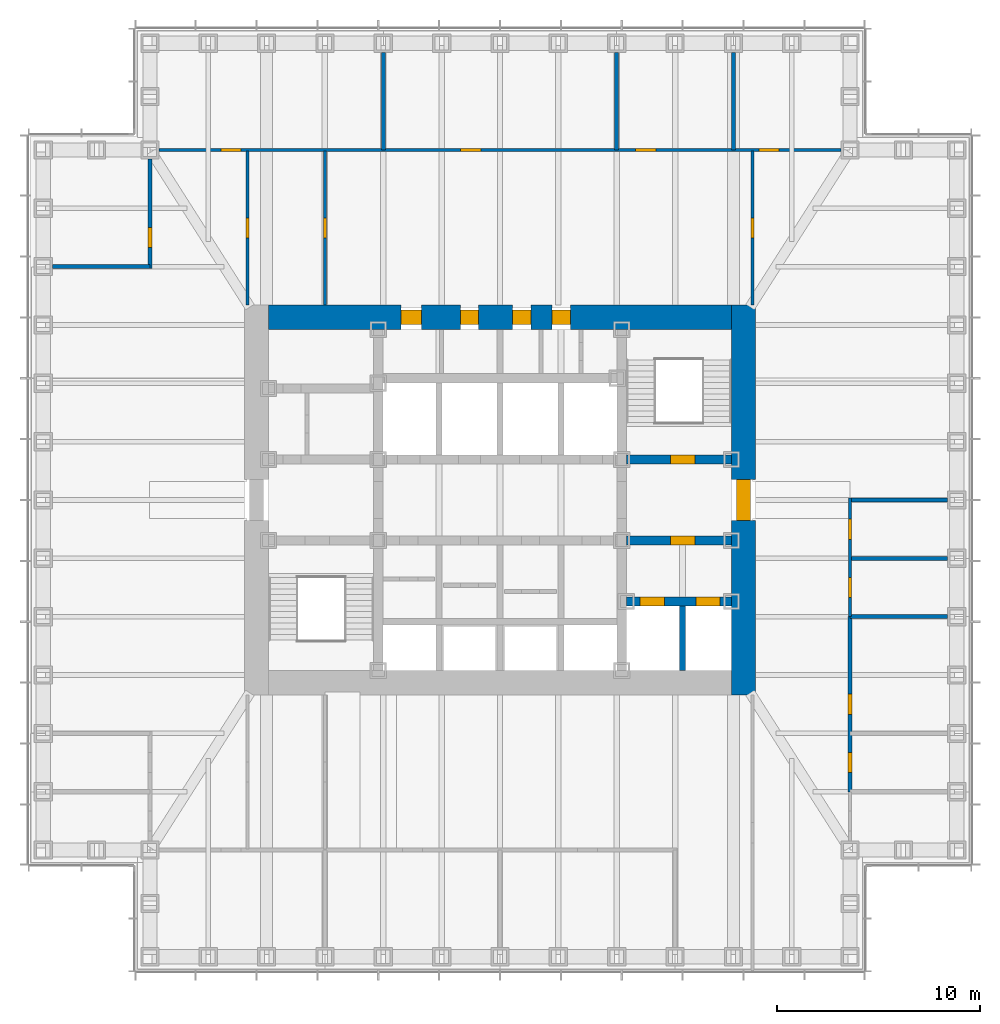
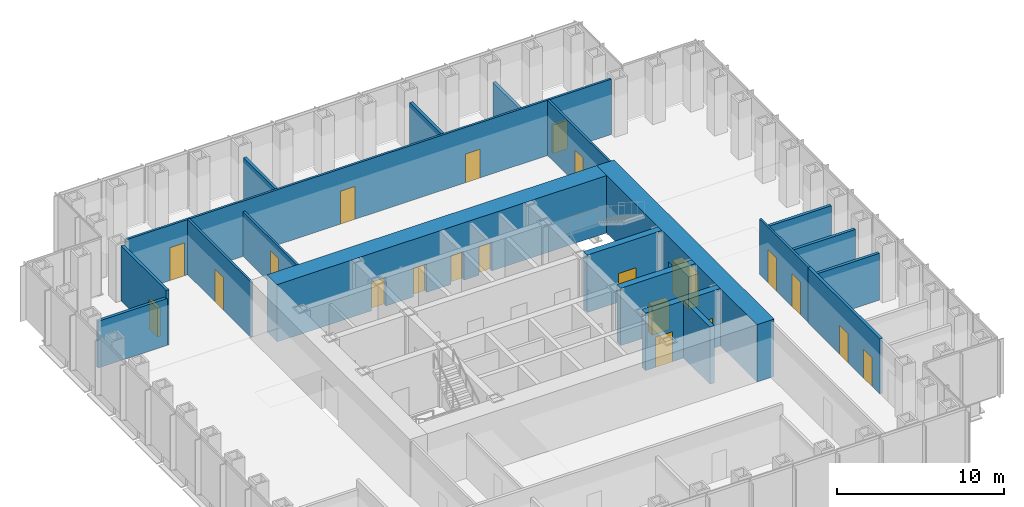
# One storey, part 10 of 17: 21 doors, 20 walls, 21 openings.
"""IFC4 building model written with IfcOpenShell, lengths in metres."""

from ifc_helpers import new_model, si_unit, direction, frame, frame_2d, origin, place, context, subcontext, project, spatial, rectangle, extrude, material, layer, layer_set, type_object, element, fill, save


model = new_model("IFC4")

# Units and contexts
model_context = context("Model", 3, precision=1e-05, world=origin(), true_north=direction((0.0, 1.0)))
body_context = subcontext(model_context, "Body", "Model", "MODEL_VIEW")
ifc_project = project(units=[si_unit("LENGTHUNIT", "METRE"), si_unit("AREAUNIT", "SQUARE_METRE"), si_unit("VOLUMEUNIT", "CUBIC_METRE"), si_unit("PLANEANGLEUNIT", "RADIAN"), si_unit("MASSUNIT", "GRAM", prefix="KILO")], contexts=[model_context])

# Site, building, storey
site_placement = place(None, origin())
site = spatial("IfcSite", under=ifc_project, at=site_placement, CompositionType="ELEMENT")
building_placement = place(site_placement, origin())
building = spatial("IfcBuilding", under=site, at=building_placement, Name="Daluyong Arena Tower", CompositionType="ELEMENT")
storey_placement = place(building_placement, frame((0.0, 0.0, 166.89990234375)))
storey = spatial("IfcBuildingStorey", under=building, at=storey_placement, Name="L37", CompositionType="ELEMENT", Elevation=166.89990234375)

# Wall, openings, doors
ifc_material_1 = material(Name="Concrete fc' 45 MPa", Category="concrete")
ifc_layer_1 = layer(ifc_material_1, 0.449951171875)
ifc_layer_set_1 = layer_set([ifc_layer_1], Name="Concrete fc' 45 MPa")
wall_type_1 = type_object("IfcWallType", Name="Core inner wall 450", PredefinedType="SHEAR", material=ifc_layer_set_1)
wall_1_placement = place(storey_placement, frame((62.22509765625, 75.0, 0.0), z_axis=(0.0, 0.0, 1.0), x_axis=(1.0, 0.0, 0.0)))
wall_1 = element("IfcWall", 1, at=wall_1_placement, inside=storey, type_object=wall_type_1, Name="core inner wall at L37", PredefinedType="SHEAR", context=body_context, shape_type="SweptSolid", body=[
    extrude(rectangle(XDim=5.1748046875, YDim=0.449951171875, at=frame_2d((2.58740234375, 0.0))), origin(), (0.0, 0.0, 1.0), 4.2001953125),
])
opening_1_placement = place(wall_1_placement, frame((0.675048828125, 0.0, 0.0)))
opening_1 = element("IfcOpeningElement", 2, at=opening_1_placement, cuts=wall_1, Name="Opening 37027", PredefinedType="OPENING", context=body_context, shape_type="SweptSolid", body=[
    extrude(rectangle(XDim=1.199951171875, YDim=2.199951171875, at=frame_2d((0.60009765625, 1.10009765625))), frame((0.0, 0.23486328125, 0.0), z_axis=(0.0, -1.0, 0.0), x_axis=(1.0, 0.0, 0.0)), (0.0, 0.0, 1.0), 0.469970703125),
])
opening_2_placement = place(wall_1_placement, frame((3.425048828125, 0.0, 0.0)))
opening_2 = element("IfcOpeningElement", 3, at=opening_2_placement, cuts=wall_1, Name="Opening 37028", PredefinedType="OPENING", context=body_context, shape_type="SweptSolid", body=[
    extrude(rectangle(XDim=1.199951171875, YDim=2.199951171875, at=frame_2d((0.60009765625, 1.10009765625))), frame((0.0, 0.23486328125, 0.0), z_axis=(0.0, -1.0, 0.0), x_axis=(1.0, 0.0, 0.0)), (0.0, 0.0, 1.0), 0.469970703125),
])
ifc_material_2 = material(Name="Steel door, fire rated", Category="steel")
door_type_1 = type_object("IfcDoorType", Name="Firefighting lift landing door 1200", OperationType="SLIDING_TO_LEFT", PredefinedType="DOOR", material=ifc_material_2)
door_1_placement = place(opening_1_placement, origin())
door_1 = element("IfcDoor", 4, at=door_1_placement, inside=storey, type_object=door_type_1, Name="firefighting lift landing door F1 37027", OperationType="SLIDING_TO_LEFT", OverallHeight=2.199951171875, OverallWidth=1.199951171875, PredefinedType="DOOR", context=body_context, shape_type="SweptSolid", body=[
    extrude(rectangle(XDim=1.199951171875, YDim=2.199951171875, at=frame_2d((0.60009765625, 1.10009765625))), frame((0.0, 0.224609375, 0.0), z_axis=(0.0, -1.0, 0.0), x_axis=(1.0, 0.0, 0.0)), (0.0, 0.0, 1.0), 0.449462890625),
])
fill(opening_1, door_1)
door_2_placement = place(opening_2_placement, origin())
door_2 = element("IfcDoor", 5, at=door_2_placement, inside=storey, type_object=door_type_1, Name="firefighting lift landing door F2 37028", OperationType="SLIDING_TO_LEFT", OverallHeight=2.199951171875, OverallWidth=1.199951171875, PredefinedType="DOOR", context=body_context, shape_type="SweptSolid", body=[
    extrude(rectangle(XDim=1.199951171875, YDim=2.199951171875, at=frame_2d((0.60009765625, 1.10009765625))), frame((0.0, 0.224609375, 0.0), z_axis=(0.0, -1.0, 0.0), x_axis=(1.0, 0.0, 0.0)), (0.0, 0.0, 1.0), 0.449462890625),
])
fill(opening_2, door_2)

# Wall, opening, door
wall_2_placement = place(storey_placement, frame((62.22509765625, 78.0, 0.0), z_axis=(0.0, 0.0, 1.0), x_axis=(1.0, 0.0, 0.0)))
wall_2 = element("IfcWall", 6, at=wall_2_placement, inside=storey, type_object=wall_type_1, Name="core inner wall at L37", PredefinedType="SHEAR", context=body_context, shape_type="SweptSolid", body=[
    extrude(rectangle(XDim=5.1748046875, YDim=0.449951171875, at=frame_2d((2.58740234375, 0.0))), origin(), (0.0, 0.0, 1.0), 4.2001953125),
])
opening_3_placement = place(wall_2_placement, frame((2.175048828125, 0.0, 0.0)))
opening_3 = element("IfcOpeningElement", 7, at=opening_3_placement, cuts=wall_2, Name="Opening 37022", PredefinedType="OPENING", context=body_context, shape_type="SweptSolid", body=[
    extrude(rectangle(XDim=1.199951171875, YDim=2.10009765625, at=frame_2d((0.60009765625, 1.050048828125))), frame((0.0, 0.23486328125, 0.0), z_axis=(0.0, -1.0, 0.0), x_axis=(1.0, 0.0, 0.0)), (0.0, 0.0, 1.0), 0.469970703125),
])
ifc_material_3 = material(Name="Steel door, fire rated", Category="steel")
door_type_2 = type_object("IfcDoorType", Name="Firefighting lobby door 1200", OperationType="SINGLE_SWING_RIGHT", PredefinedType="DOOR", material=ifc_material_3)
door_3_placement = place(opening_3_placement, origin())
door_3 = element("IfcDoor", 8, at=door_3_placement, inside=storey, type_object=door_type_2, Name="firefighting lobby door 37022", OperationType="SINGLE_SWING_RIGHT", OverallHeight=2.10009765625, OverallWidth=1.199951171875, PredefinedType="DOOR", context=body_context, shape_type="SweptSolid", body=[
    extrude(rectangle(XDim=1.199951171875, YDim=2.10009765625, at=frame_2d((0.60009765625, 1.050048828125))), frame((0.0, 0.224609375, 0.0), z_axis=(0.0, -1.0, 0.0), x_axis=(1.0, 0.0, 0.0)), (0.0, 0.0, 1.0), 0.449462890625),
])
fill(opening_3, door_3)

wall_3_placement = place(storey_placement, frame((62.22509765625, 82.0, 0.0), z_axis=(0.0, 0.0, 1.0), x_axis=(1.0, 0.0, 0.0)))
wall_3 = element("IfcWall", 9, at=wall_3_placement, inside=storey, type_object=wall_type_1, Name="core inner wall at L37", PredefinedType="SHEAR", context=body_context, shape_type="SweptSolid", body=[
    extrude(rectangle(XDim=5.1748046875, YDim=0.449951171875, at=frame_2d((2.58740234375, 0.0))), origin(), (0.0, 0.0, 1.0), 4.2001953125),
])
opening_4_placement = place(wall_3_placement, frame((2.175048828125, 0.0, 0.0)))
opening_4 = element("IfcOpeningElement", 10, at=opening_4_placement, cuts=wall_3, Name="Opening 37017", PredefinedType="OPENING", context=body_context, shape_type="SweptSolid", body=[
    extrude(rectangle(XDim=1.199951171875, YDim=2.10009765625, at=frame_2d((0.60009765625, 1.050048828125))), frame((0.0, 0.23486328125, 0.0), z_axis=(0.0, -1.0, 0.0), x_axis=(1.0, 0.0, 0.0)), (0.0, 0.0, 1.0), 0.469970703125),
])
ifc_material_4 = material(Name="Steel door, fire rated", Category="steel")
door_type_3 = type_object("IfcDoorType", Name="Stair door 1200", OperationType="SINGLE_SWING_LEFT", PredefinedType="DOOR", material=ifc_material_4)
door_4_placement = place(opening_4_placement, origin())
door_4 = element("IfcDoor", 11, at=door_4_placement, inside=storey, type_object=door_type_3, Name="stair B door 37017", OperationType="SINGLE_SWING_LEFT", OverallHeight=2.10009765625, OverallWidth=1.199951171875, PredefinedType="DOOR", context=body_context, shape_type="SweptSolid", body=[
    extrude(rectangle(XDim=1.199951171875, YDim=2.10009765625, at=frame_2d((0.60009765625, 1.050048828125))), frame((0.0, 0.224609375, 0.0), z_axis=(0.0, -1.0, 0.0), x_axis=(1.0, 0.0, 0.0)), (0.0, 0.0, 1.0), 0.449462890625),
])
fill(opening_4, door_4)

ifc_material_5 = material(Name="Concrete fc' 60 MPa", Category="concrete")
ifc_layer_2 = layer(ifc_material_5, 1.199951171875)
ifc_layer_set_2 = layer_set([ifc_layer_2], Name="Concrete fc' 60 MPa")
wall_type_2 = type_object("IfcWallType", Name="Core wall 1200", PredefinedType="SHEAR", material=ifc_layer_set_2)
wall_4_placement = place(storey_placement, frame((68.0, 70.39990234375, 0.0), z_axis=(0.0, 0.0, 1.0), x_axis=(0.0, 1.0, 0.0)))
wall_4 = element("IfcWall", 12, at=wall_4_placement, inside=storey, type_object=wall_type_2, Name="core wall at L37", PredefinedType="SHEAR", context=body_context, shape_type="SweptSolid", body=[
    extrude(rectangle(XDim=19.2001953125, YDim=1.199951171875, at=frame_2d((9.60009765625, 0.0))), origin(), (0.0, 0.0, 1.0), 4.2001953125),
])
opening_5_placement = place(wall_4_placement, frame((8.60009765625, 0.0, 0.0)))
opening_5 = element("IfcOpeningElement", 13, at=opening_5_placement, cuts=wall_4, Name="Opening 37019", PredefinedType="OPENING", context=body_context, shape_type="SweptSolid", body=[
    extrude(rectangle(XDim=2.0, YDim=2.39990234375, at=frame_2d((1.0, 1.199951171875))), frame((0.0, 0.60986328125, 0.0), z_axis=(0.0, -1.0, 0.0), x_axis=(1.0, 0.0, 0.0)), (0.0, 0.0, 1.0), 1.219970703125),
])
ifc_material_6 = material(Name="Steel door, fire rated", Category="steel")
door_type_4 = type_object("IfcDoorType", Name="Core lobby double door 2000", OperationType="DOUBLE_DOOR_SINGLE_SWING", PredefinedType="DOOR", material=ifc_material_6)
door_5_placement = place(opening_5_placement, origin())
door_5 = element("IfcDoor", 14, at=door_5_placement, inside=storey, type_object=door_type_4, Name="core lobby door east 37019", OperationType="DOUBLE_DOOR_SINGLE_SWING", OverallHeight=2.39990234375, OverallWidth=2.0, PredefinedType="DOOR", context=body_context, shape_type="SweptSolid", body=[
    extrude(rectangle(XDim=2.0, YDim=2.39990234375, at=frame_2d((1.0, 1.199951171875))), frame((0.0, 0.35009765625, 0.0), z_axis=(0.0, -1.0, 0.0), x_axis=(1.0, 0.0, 0.0)), (0.0, 0.0, 1.0), 0.699951171875),
])
fill(opening_5, door_5)

# Wall, openings, doors
wall_5_placement = place(storey_placement, frame((44.60009765625, 89.0, 0.0), z_axis=(0.0, 0.0, 1.0), x_axis=(1.0, 0.0, 0.0)))
wall_5 = element("IfcWall", 15, at=wall_5_placement, inside=storey, type_object=wall_type_2, Name="core wall at L37", PredefinedType="SHEAR", context=body_context, shape_type="SweptSolid", body=[
    extrude(rectangle(XDim=22.7998046875, YDim=1.199951171875, at=frame_2d((11.39990234375, 0.0))), origin(), (0.0, 0.0, 1.0), 4.2001953125),
])
opening_6_placement = place(wall_5_placement, frame((6.52490234375, 0.0, 0.0)))
opening_6 = element("IfcOpeningElement", 16, at=opening_6_placement, cuts=wall_5, Name="Opening 37004", PredefinedType="OPENING", context=body_context, shape_type="SweptSolid", body=[
    extrude(rectangle(XDim=1.0, YDim=2.10009765625, at=frame_2d((0.5, 1.050048828125))), frame((0.0, 0.60986328125, 0.0), z_axis=(0.0, -1.0, 0.0), x_axis=(1.0, 0.0, 0.0)), (0.0, 0.0, 1.0), 1.219970703125),
])
opening_7_placement = place(wall_5_placement, frame((9.449951171875, 0.0, 0.0)))
opening_7 = element("IfcOpeningElement", 17, at=opening_7_placement, cuts=wall_5, Name="Opening 37005", PredefinedType="OPENING", context=body_context, shape_type="SweptSolid", body=[
    extrude(rectangle(XDim=0.89990234375, YDim=2.10009765625, at=frame_2d((0.449951171875, 1.050048828125))), frame((0.0, 0.60986328125, 0.0), z_axis=(0.0, -1.0, 0.0), x_axis=(1.0, 0.0, 0.0)), (0.0, 0.0, 1.0), 1.219970703125),
])
opening_8_placement = place(wall_5_placement, frame((12.02490234375, 0.0, 0.0)))
opening_8 = element("IfcOpeningElement", 18, at=opening_8_placement, cuts=wall_5, Name="Opening 37006", PredefinedType="OPENING", context=body_context, shape_type="SweptSolid", body=[
    extrude(rectangle(XDim=0.89990234375, YDim=2.10009765625, at=frame_2d((0.449951171875, 1.050048828125))), frame((0.0, 0.60986328125, 0.0), z_axis=(0.0, -1.0, 0.0), x_axis=(1.0, 0.0, 0.0)), (0.0, 0.0, 1.0), 1.219970703125),
])
opening_9_placement = place(wall_5_placement, frame((13.96240234375, 0.0, 0.0)))
opening_9 = element("IfcOpeningElement", 19, at=opening_9_placement, cuts=wall_5, Name="Opening 37007", PredefinedType="OPENING", context=body_context, shape_type="SweptSolid", body=[
    extrude(rectangle(XDim=0.89990234375, YDim=2.10009765625, at=frame_2d((0.449951171875, 1.050048828125))), frame((0.0, 0.60986328125, 0.0), z_axis=(0.0, -1.0, 0.0), x_axis=(1.0, 0.0, 0.0)), (0.0, 0.0, 1.0), 1.219970703125),
])
ifc_material_7 = material(Name="Timber door", Category="wood")
door_type_5 = type_object("IfcDoorType", Name="Accessible toilet door 1000", OperationType="SINGLE_SWING_LEFT", PredefinedType="DOOR", material=ifc_material_7)
door_6_placement = place(opening_6_placement, origin())
door_6 = element("IfcDoor", 20, at=door_6_placement, inside=storey, type_object=door_type_5, Name="accessible toilet door 37004", OperationType="SINGLE_SWING_LEFT", OverallHeight=2.10009765625, OverallWidth=1.0, PredefinedType="DOOR", context=body_context, shape_type="SweptSolid", body=[
    extrude(rectangle(XDim=1.0, YDim=2.10009765625, at=frame_2d((0.5, 1.050048828125))), frame((0.0, 0.35009765625, 0.0), z_axis=(0.0, -1.0, 0.0), x_axis=(1.0, 0.0, 0.0)), (0.0, 0.0, 1.0), 0.699951171875),
])
fill(opening_6, door_6)
ifc_material_8 = material(Name="Steel door, fire rated", Category="steel")
door_type_6 = type_object("IfcDoorType", Name="Core room door 900", OperationType="SINGLE_SWING_LEFT", PredefinedType="DOOR", material=ifc_material_8)
door_7_placement = place(opening_8_placement, origin())
door_7 = element("IfcDoor", 21, at=door_7_placement, inside=storey, type_object=door_type_6, Name="mail room door 37006", OperationType="SINGLE_SWING_LEFT", OverallHeight=2.10009765625, OverallWidth=0.89990234375, PredefinedType="DOOR", context=body_context, shape_type="SweptSolid", body=[
    extrude(rectangle(XDim=0.89990234375, YDim=2.10009765625, at=frame_2d((0.449951171875, 1.050048828125))), frame((0.0, 0.35009765625, 0.0), z_axis=(0.0, -1.0, 0.0), x_axis=(1.0, 0.0, 0.0)), (0.0, 0.0, 1.0), 0.699951171875),
])
fill(opening_8, door_7)
door_8_placement = place(opening_9_placement, origin())
door_8 = element("IfcDoor", 22, at=door_8_placement, inside=storey, type_object=door_type_6, Name="tea point door 37007", OperationType="SINGLE_SWING_LEFT", OverallHeight=2.10009765625, OverallWidth=0.89990234375, PredefinedType="DOOR", context=body_context, shape_type="SweptSolid", body=[
    extrude(rectangle(XDim=0.89990234375, YDim=2.10009765625, at=frame_2d((0.449951171875, 1.050048828125))), frame((0.0, 0.35009765625, 0.0), z_axis=(0.0, -1.0, 0.0), x_axis=(1.0, 0.0, 0.0)), (0.0, 0.0, 1.0), 0.699951171875),
])
fill(opening_9, door_8)
ifc_material_9 = material(Name="Steel door, fire rated", Category="steel")
door_type_7 = type_object("IfcDoorType", Name="Core store door 900", OperationType="SINGLE_SWING_LEFT", PredefinedType="DOOR", material=ifc_material_9)
door_9_placement = place(opening_7_placement, origin())
door_9 = element("IfcDoor", 23, at=door_9_placement, inside=storey, type_object=door_type_7, Name="facilities store door 37005", OperationType="SINGLE_SWING_LEFT", OverallHeight=2.10009765625, OverallWidth=0.89990234375, PredefinedType="DOOR", context=body_context, shape_type="SweptSolid", body=[
    extrude(rectangle(XDim=0.89990234375, YDim=2.10009765625, at=frame_2d((0.449951171875, 1.050048828125))), frame((0.0, 0.35009765625, 0.0), z_axis=(0.0, -1.0, 0.0), x_axis=(1.0, 0.0, 0.0)), (0.0, 0.0, 1.0), 0.699951171875),
])
fill(opening_7, door_9)

ifc_material_10 = material(Name="Glazed aluminium partition", Category="aluminium")
ifc_layer_3 = layer(ifc_material_10, 0.14990234375)
ifc_layer_set_3 = layer_set([ifc_layer_3], Name="Glazed aluminium partition")
wall_type_3 = type_object("IfcWallType", Name="Glazed partition 150", PredefinedType="PARTITIONING", material=ifc_layer_set_3)
wall_6_placement = place(storey_placement, frame((39.199951171875, 97.25, 0.0), z_axis=(0.0, 0.0, 1.0), x_axis=(1.0, 0.0, 0.0)))
wall_6 = element("IfcWall", 24, at=wall_6_placement, inside=storey, type_object=wall_type_3, Name="glazed partition at L37", PredefinedType="PARTITIONING", context=body_context, shape_type="SweptSolid", body=[
    extrude(rectangle(XDim=33.60009765625, YDim=0.14990234375, at=frame_2d((16.800048828125, 0.0))), origin(), (0.0, 0.0, 1.0), 4.0400390625),
])
opening_10_placement = place(wall_6_placement, frame((3.050048828125, 0.0, 0.0)))
opening_10 = element("IfcOpeningElement", 25, at=opening_10_placement, cuts=wall_6, Name="Opening 37037", PredefinedType="OPENING", context=body_context, shape_type="SweptSolid", body=[
    extrude(rectangle(XDim=1.0, YDim=2.39990234375, at=frame_2d((0.5, 1.199951171875))), frame((0.0, 0.0849609375, 0.0), z_axis=(0.0, -1.0, 0.0), x_axis=(1.0, 0.0, 0.0)), (0.0, 0.0, 1.0), 0.169921875),
])
opening_11_placement = place(wall_6_placement, frame((14.862548828125, 0.0, 0.0)))
opening_11 = element("IfcOpeningElement", 26, at=opening_11_placement, cuts=wall_6, Name="Opening 37038", PredefinedType="OPENING", context=body_context, shape_type="SweptSolid", body=[
    extrude(rectangle(XDim=1.0, YDim=2.39990234375, at=frame_2d((0.5, 1.199951171875))), frame((0.0, 0.0849609375, 0.0), z_axis=(0.0, -1.0, 0.0), x_axis=(1.0, 0.0, 0.0)), (0.0, 0.0, 1.0), 0.169921875),
])
opening_12_placement = place(wall_6_placement, frame((23.487548828125, 0.0, 0.0)))
opening_12 = element("IfcOpeningElement", 27, at=opening_12_placement, cuts=wall_6, Name="Opening 37039", PredefinedType="OPENING", context=body_context, shape_type="SweptSolid", body=[
    extrude(rectangle(XDim=1.0, YDim=2.10009765625, at=frame_2d((0.5, 1.050048828125))), frame((0.0, 0.0849609375, 0.0), z_axis=(0.0, -1.0, 0.0), x_axis=(1.0, 0.0, 0.0)), (0.0, 0.0, 1.0), 0.169921875),
])
opening_13_placement = place(wall_6_placement, frame((29.550048828125, 0.0, 0.0)))
opening_13 = element("IfcOpeningElement", 28, at=opening_13_placement, cuts=wall_6, Name="Opening 37040", PredefinedType="OPENING", context=body_context, shape_type="SweptSolid", body=[
    extrude(rectangle(XDim=1.0, YDim=2.10009765625, at=frame_2d((0.5, 1.050048828125))), frame((0.0, 0.0849609375, 0.0), z_axis=(0.0, -1.0, 0.0), x_axis=(1.0, 0.0, 0.0)), (0.0, 0.0, 1.0), 0.169921875),
])
ifc_material_11 = material(Name="Glazed aluminium door", Category="aluminium")
door_type_8 = type_object("IfcDoorType", Name="Meeting room glazed door 1000", OperationType="SINGLE_SWING_RIGHT", PredefinedType="DOOR", material=ifc_material_11)
door_10_placement = place(opening_10_placement, origin())
door_10 = element("IfcDoor", 29, at=door_10_placement, inside=storey, type_object=door_type_8, Name="business lounge door 37037", OperationType="SINGLE_SWING_RIGHT", OverallHeight=2.39990234375, OverallWidth=1.0, PredefinedType="DOOR", context=body_context, shape_type="SweptSolid", body=[
    extrude(rectangle(XDim=1.0, YDim=2.39990234375, at=frame_2d((0.5, 1.199951171875))), frame((0.0, 0.07470703125, 0.0), z_axis=(0.0, -1.0, 0.0), x_axis=(1.0, 0.0, 0.0)), (0.0, 0.0, 1.0), 0.1494140625),
])
fill(opening_10, door_10)
door_11_placement = place(opening_11_placement, origin())
door_11 = element("IfcDoor", 30, at=door_11_placement, inside=storey, type_object=door_type_8, Name="boardroom door 37038", OperationType="SINGLE_SWING_RIGHT", OverallHeight=2.39990234375, OverallWidth=1.0, PredefinedType="DOOR", context=body_context, shape_type="SweptSolid", body=[
    extrude(rectangle(XDim=1.0, YDim=2.39990234375, at=frame_2d((0.5, 1.199951171875))), frame((0.0, 0.07470703125, 0.0), z_axis=(0.0, -1.0, 0.0), x_axis=(1.0, 0.0, 0.0)), (0.0, 0.0, 1.0), 0.1494140625),
])
fill(opening_11, door_11)
ifc_material_12 = material(Name="Timber door", Category="wood")
door_type_9 = type_object("IfcDoorType", Name="Room door 1000", OperationType="SINGLE_SWING_LEFT", PredefinedType="DOOR", material=ifc_material_12)
door_12_placement = place(opening_12_placement, origin())
door_12 = element("IfcDoor", 31, at=door_12_placement, inside=storey, type_object=door_type_9, Name="office door 37039", OperationType="SINGLE_SWING_LEFT", OverallHeight=2.10009765625, OverallWidth=1.0, PredefinedType="DOOR", context=body_context, shape_type="SweptSolid", body=[
    extrude(rectangle(XDim=1.0, YDim=2.10009765625, at=frame_2d((0.5, 1.050048828125))), frame((0.0, 0.07470703125, 0.0), z_axis=(0.0, -1.0, 0.0), x_axis=(1.0, 0.0, 0.0)), (0.0, 0.0, 1.0), 0.1494140625),
])
fill(opening_12, door_12)
door_13_placement = place(opening_13_placement, origin())
door_13 = element("IfcDoor", 32, at=door_13_placement, inside=storey, type_object=door_type_9, Name="executive office door 37040", OperationType="SINGLE_SWING_LEFT", OverallHeight=2.10009765625, OverallWidth=1.0, PredefinedType="DOOR", context=body_context, shape_type="SweptSolid", body=[
    extrude(rectangle(XDim=1.0, YDim=2.10009765625, at=frame_2d((0.5, 1.050048828125))), frame((0.0, 0.07470703125, 0.0), z_axis=(0.0, -1.0, 0.0), x_axis=(1.0, 0.0, 0.0)), (0.0, 0.0, 1.0), 0.1494140625),
])
fill(opening_13, door_13)

# Wall, opening, door
wall_7_placement = place(storey_placement, frame((43.550048828125, 89.60009765625, 0.0), z_axis=(0.0, 0.0, 1.0), x_axis=(0.0, 1.0, 0.0)))
wall_7 = element("IfcWall", 33, at=wall_7_placement, inside=storey, type_object=wall_type_3, Name="glazed partition at L37", PredefinedType="PARTITIONING", context=body_context, shape_type="SweptSolid", body=[
    extrude(rectangle(XDim=7.599853515625, YDim=0.14990234375, at=frame_2d((3.7998046875, 0.0))), origin(), (0.0, 0.0, 1.0), 4.0400390625),
])
opening_14_placement = place(wall_7_placement, frame((3.300048828125, 0.0, 0.0)))
opening_14 = element("IfcOpeningElement", 34, at=opening_14_placement, cuts=wall_7, Name="Opening 37046", PredefinedType="OPENING", context=body_context, shape_type="SweptSolid", body=[
    extrude(rectangle(XDim=1.0, YDim=2.39990234375, at=frame_2d((0.5, 1.199951171875))), frame((0.0, 0.0849609375, 0.0), z_axis=(0.0, -1.0, 0.0), x_axis=(1.0, 0.0, 0.0)), (0.0, 0.0, 1.0), 0.169921875),
])
door_14_placement = place(opening_14_placement, origin())
door_14 = element("IfcDoor", 35, at=door_14_placement, inside=storey, type_object=door_type_8, Name="team area screen door 37046", OperationType="SINGLE_SWING_RIGHT", OverallHeight=2.39990234375, OverallWidth=1.0, PredefinedType="DOOR", context=body_context, shape_type="SweptSolid", body=[
    extrude(rectangle(XDim=1.0, YDim=2.39990234375, at=frame_2d((0.5, 1.199951171875))), frame((0.0, 0.07470703125, 0.0), z_axis=(0.0, -1.0, 0.0), x_axis=(1.0, 0.0, 0.0)), (0.0, 0.0, 1.0), 0.1494140625),
])
fill(opening_14, door_14)

wall_8_placement = place(storey_placement, frame((47.375, 89.60009765625, 0.0), z_axis=(0.0, 0.0, 1.0), x_axis=(0.0, 1.0, 0.0)))
wall_8 = element("IfcWall", 36, at=wall_8_placement, inside=storey, type_object=wall_type_3, Name="glazed partition at L37", PredefinedType="PARTITIONING", context=body_context, shape_type="SweptSolid", body=[
    extrude(rectangle(XDim=7.599853515625, YDim=0.14990234375, at=frame_2d((3.7998046875, 0.0))), origin(), (0.0, 0.0, 1.0), 3.278076171875),
])
opening_15_placement = place(wall_8_placement, frame((3.300048828125, 0.0, 0.0)))
opening_15 = element("IfcOpeningElement", 37, at=opening_15_placement, cuts=wall_8, Name="Opening 37049", PredefinedType="OPENING", context=body_context, shape_type="SweptSolid", body=[
    extrude(rectangle(XDim=1.0, YDim=2.39990234375, at=frame_2d((0.5, 1.199951171875))), frame((0.0, 0.0849609375, 0.0), z_axis=(0.0, -1.0, 0.0), x_axis=(1.0, 0.0, 0.0)), (0.0, 0.0, 1.0), 0.169921875),
])
door_15_placement = place(opening_15_placement, origin())
door_15 = element("IfcDoor", 38, at=door_15_placement, inside=storey, type_object=door_type_8, Name="team area screen door 37049", OperationType="SINGLE_SWING_RIGHT", OverallHeight=2.39990234375, OverallWidth=1.0, PredefinedType="DOOR", context=body_context, shape_type="SweptSolid", body=[
    extrude(rectangle(XDim=1.0, YDim=2.39990234375, at=frame_2d((0.5, 1.199951171875))), frame((0.0, 0.07470703125, 0.0), z_axis=(0.0, -1.0, 0.0), x_axis=(1.0, 0.0, 0.0)), (0.0, 0.0, 1.0), 0.1494140625),
])
fill(opening_15, door_15)

wall_9_placement = place(storey_placement, frame((68.449951171875, 89.60009765625, 0.0), z_axis=(0.0, 0.0, 1.0), x_axis=(0.0, 1.0, 0.0)))
wall_9 = element("IfcWall", 39, at=wall_9_placement, inside=storey, type_object=wall_type_3, Name="glazed partition at L37", PredefinedType="PARTITIONING", context=body_context, shape_type="SweptSolid", body=[
    extrude(rectangle(XDim=7.599853515625, YDim=0.14990234375, at=frame_2d((3.7998046875, 0.0))), origin(), (0.0, 0.0, 1.0), 4.0400390625),
])
opening_16_placement = place(wall_9_placement, frame((3.300048828125, 0.0, 0.0)))
opening_16 = element("IfcOpeningElement", 40, at=opening_16_placement, cuts=wall_9, Name="Opening 37047", PredefinedType="OPENING", context=body_context, shape_type="SweptSolid", body=[
    extrude(rectangle(XDim=1.0, YDim=2.39990234375, at=frame_2d((0.5, 1.199951171875))), frame((0.0, 0.0849609375, 0.0), z_axis=(0.0, -1.0, 0.0), x_axis=(1.0, 0.0, 0.0)), (0.0, 0.0, 1.0), 0.169921875),
])
door_16_placement = place(opening_16_placement, origin())
door_16 = element("IfcDoor", 41, at=door_16_placement, inside=storey, type_object=door_type_8, Name="team area screen door 37047", OperationType="SINGLE_SWING_RIGHT", OverallHeight=2.39990234375, OverallWidth=1.0, PredefinedType="DOOR", context=body_context, shape_type="SweptSolid", body=[
    extrude(rectangle(XDim=1.0, YDim=2.39990234375, at=frame_2d((0.5, 1.199951171875))), frame((0.0, 0.07470703125, 0.0), z_axis=(0.0, -1.0, 0.0), x_axis=(1.0, 0.0, 0.0)), (0.0, 0.0, 1.0), 0.1494140625),
])
fill(opening_16, door_16)

# Wall, openings, doors
wall_10_placement = place(storey_placement, frame((73.25, 74.25, 0.0), z_axis=(0.0, 0.0, 1.0), x_axis=(0.0, 1.0, 0.0)))
wall_10 = element("IfcWall", 42, at=wall_10_placement, inside=storey, type_object=wall_type_3, Name="glazed partition at L37", PredefinedType="PARTITIONING", context=body_context, shape_type="SweptSolid", body=[
    extrude(rectangle(XDim=5.85009765625, YDim=0.14990234375, at=frame_2d((2.925048828125, 0.0))), origin(), (0.0, 0.0, 1.0), 4.0400390625),
])
opening_17_placement = place(wall_10_placement, frame((0.9375, 0.0, 0.0)))
opening_17 = element("IfcOpeningElement", 43, at=opening_17_placement, cuts=wall_10, Name="Opening 37035", PredefinedType="OPENING", context=body_context, shape_type="SweptSolid", body=[
    extrude(rectangle(XDim=1.0, YDim=2.39990234375, at=frame_2d((0.5, 1.199951171875))), frame((0.0, 0.0849609375, 0.0), z_axis=(0.0, -1.0, 0.0), x_axis=(1.0, 0.0, 0.0)), (0.0, 0.0, 1.0), 0.169921875),
])
opening_18_placement = place(wall_10_placement, frame((3.8125, 0.0, 0.0)))
opening_18 = element("IfcOpeningElement", 44, at=opening_18_placement, cuts=wall_10, Name="Opening 37036", PredefinedType="OPENING", context=body_context, shape_type="SweptSolid", body=[
    extrude(rectangle(XDim=1.0, YDim=2.39990234375, at=frame_2d((0.5, 1.199951171875))), frame((0.0, 0.0849609375, 0.0), z_axis=(0.0, -1.0, 0.0), x_axis=(1.0, 0.0, 0.0)), (0.0, 0.0, 1.0), 0.169921875),
])
door_17_placement = place(opening_17_placement, origin())
door_17 = element("IfcDoor", 45, at=door_17_placement, inside=storey, type_object=door_type_8, Name="focus room door 37035", OperationType="SINGLE_SWING_RIGHT", OverallHeight=2.39990234375, OverallWidth=1.0, PredefinedType="DOOR", context=body_context, shape_type="SweptSolid", body=[
    extrude(rectangle(XDim=1.0, YDim=2.39990234375, at=frame_2d((0.5, 1.199951171875))), frame((0.0, 0.07470703125, 0.0), z_axis=(0.0, -1.0, 0.0), x_axis=(1.0, 0.0, 0.0)), (0.0, 0.0, 1.0), 0.1494140625),
])
fill(opening_17, door_17)
door_18_placement = place(opening_18_placement, origin())
door_18 = element("IfcDoor", 46, at=door_18_placement, inside=storey, type_object=door_type_8, Name="focus room door 37036", OperationType="SINGLE_SWING_RIGHT", OverallHeight=2.39990234375, OverallWidth=1.0, PredefinedType="DOOR", context=body_context, shape_type="SweptSolid", body=[
    extrude(rectangle(XDim=1.0, YDim=2.39990234375, at=frame_2d((0.5, 1.199951171875))), frame((0.0, 0.07470703125, 0.0), z_axis=(0.0, -1.0, 0.0), x_axis=(1.0, 0.0, 0.0)), (0.0, 0.0, 1.0), 0.1494140625),
])
fill(opening_18, door_18)

# Walls
ifc_material_13 = material(Name="Concrete fc' 45 MPa", Category="concrete")
ifc_layer_4 = layer(ifc_material_13, 0.300048828125)
ifc_layer_set_4 = layer_set([ifc_layer_4], Name="Concrete fc' 45 MPa")
wall_type_4 = type_object("IfcWallType", Name="Lift shaft wall 300", PredefinedType="SHEAR", material=ifc_layer_set_4)
wall_11_placement = place(storey_placement, frame((65.0, 71.60009765625, 0.0), z_axis=(0.0, 0.0, 1.0), x_axis=(0.0, 1.0, 0.0)))
element("IfcWall", 47, at=wall_11_placement, inside=storey, type_object=wall_type_4, Name="lift shaft wall at L37", PredefinedType="SHEAR", context=body_context, shape_type="SweptSolid", body=[
    extrude(rectangle(XDim=3.1748046875, YDim=0.300048828125, at=frame_2d((1.58740234375, 0.0))), origin(), (0.0, 0.0, 1.0), 4.2001953125),
])
ifc_material_14 = material(Name="Concrete block partition", Category="concrete")
ifc_layer_5 = layer(ifc_material_14, 0.199951171875)
ifc_layer_set_5 = layer_set([ifc_layer_5], Name="Concrete block partition")
wall_type_5 = type_object("IfcWallType", Name="Partition 200", PredefinedType="PARTITIONING", material=ifc_layer_set_5)
for number, where, z_axis, x_axis, name in (
    (48, (73.25, 74.25, 0.0), (0.0, 0.0, 1.0), (1.0, 0.0, 0.0), "partition at L37"),
    (49, (73.25, 77.125, 0.0), (0.0, 0.0, 1.0), (1.0, 0.0, 0.0), "partition at L37"),
    (50, (73.25, 80.0, 0.0), (0.0, 0.0, 1.0), (1.0, 0.0, 0.0), "partition at L37"),
):
    element("IfcWall", number, at=place(storey_placement, frame(where, z_axis=z_axis, x_axis=x_axis)), inside=storey, type_object=wall_type_5, Name=name, PredefinedType="PARTITIONING", context=body_context, shape_type="SweptSolid", body=[
        extrude(rectangle(XDim=4.800048828125, YDim=0.199951171875, at=frame_2d((2.39990234375, 0.0))), origin(), (0.0, 0.0, 1.0), 3.427978515625),
    ])
for number, where, z_axis, x_axis, name in (
    (51, (50.25, 97.25, 0.0), (0.0, 0.0, 1.0), (0.0, 1.0, 0.0), "partition at L37"),
    (52, (61.75, 97.25, 0.0), (0.0, 0.0, 1.0), (0.0, 1.0, 0.0), "partition at L37"),
):
    element("IfcWall", number, at=place(storey_placement, frame(where, z_axis=z_axis, x_axis=x_axis)), inside=storey, type_object=wall_type_5, Name=name, PredefinedType="PARTITIONING", context=body_context, shape_type="SweptSolid", body=[
        extrude(rectangle(XDim=4.800048828125, YDim=0.199951171875, at=frame_2d((2.39990234375, 0.0))), origin(), (0.0, 0.0, 1.0), 3.278076171875),
    ])
wall_12_placement = place(storey_placement, frame((67.5, 97.25, 0.0), z_axis=(0.0, 0.0, 1.0), x_axis=(0.0, 1.0, 0.0)))
element("IfcWall", 53, at=wall_12_placement, inside=storey, type_object=wall_type_5, Name="partition at L37", PredefinedType="PARTITIONING", context=body_context, shape_type="SweptSolid", body=[
    extrude(rectangle(XDim=4.800048828125, YDim=0.199951171875, at=frame_2d((2.39990234375, 0.0))), origin(), (0.0, 0.0, 1.0), 2.739990234375),
])
wall_13_placement = place(storey_placement, frame((33.949951171875, 91.5, 0.0), z_axis=(0.0, 0.0, 1.0), x_axis=(1.0, 0.0, 0.0)))
element("IfcWall", 54, at=wall_13_placement, inside=storey, type_object=wall_type_5, Name="partition at L37", PredefinedType="PARTITIONING", context=body_context, shape_type="SweptSolid", body=[
    extrude(rectangle(XDim=4.800048828125, YDim=0.199951171875, at=frame_2d((2.39990234375, 0.0))), origin(), (0.0, 0.0, 1.0), 3.427978515625),
])

# Wall, opening, door
wall_14_placement = place(storey_placement, frame((38.75, 91.39990234375, 0.0), z_axis=(0.0, 0.0, 1.0), x_axis=(0.0, 1.0, 0.0)))
wall_14 = element("IfcWall", 55, at=wall_14_placement, inside=storey, type_object=wall_type_5, Name="partition at L37", PredefinedType="PARTITIONING", context=body_context, shape_type="SweptSolid", body=[
    extrude(rectangle(XDim=5.400146484375, YDim=0.199951171875, at=frame_2d((2.7001953125, 0.0))), origin(), (0.0, 0.0, 1.0), 4.0400390625),
])
opening_19_placement = place(wall_14_placement, frame((1.03759765625, 0.0, 0.0)))
opening_19 = element("IfcOpeningElement", 56, at=opening_19_placement, cuts=wall_14, Name="Opening 37043", PredefinedType="OPENING", context=body_context, shape_type="SweptSolid", body=[
    extrude(rectangle(XDim=1.0, YDim=2.10009765625, at=frame_2d((0.5, 1.050048828125))), frame((0.0, 0.10986328125, 0.0), z_axis=(0.0, -1.0, 0.0), x_axis=(1.0, 0.0, 0.0)), (0.0, 0.0, 1.0), 0.219970703125),
])
door_19_placement = place(opening_19_placement, origin())
door_19 = element("IfcDoor", 57, at=door_19_placement, inside=storey, type_object=door_type_9, Name="pantry door 37043", OperationType="SINGLE_SWING_LEFT", OverallHeight=2.10009765625, OverallWidth=1.0, PredefinedType="DOOR", context=body_context, shape_type="SweptSolid", body=[
    extrude(rectangle(XDim=1.0, YDim=2.10009765625, at=frame_2d((0.5, 1.050048828125))), frame((0.0, 0.099609375, 0.0), z_axis=(0.0, -1.0, 0.0), x_axis=(1.0, 0.0, 0.0)), (0.0, 0.0, 1.0), 0.199462890625),
])
fill(opening_19, door_19)

# Wall, openings, doors
wall_15_placement = place(storey_placement, frame((73.25, 65.625, 0.0), z_axis=(0.0, 0.0, 1.0), x_axis=(0.0, 1.0, 0.0)))
wall_15 = element("IfcWall", 58, at=wall_15_placement, inside=storey, type_object=wall_type_5, Name="partition at L37", PredefinedType="PARTITIONING", context=body_context, shape_type="SweptSolid", body=[
    extrude(rectangle(XDim=8.625, YDim=0.199951171875, at=frame_2d((4.3125, 0.0))), origin(), (0.0, 0.0, 1.0), 4.0400390625),
])
opening_20_placement = place(wall_15_placement, frame((0.9375, 0.0, 0.0)))
opening_20 = element("IfcOpeningElement", 59, at=opening_20_placement, cuts=wall_15, Name="Opening 37033", PredefinedType="OPENING", context=body_context, shape_type="SweptSolid", body=[
    extrude(rectangle(XDim=1.0, YDim=2.10009765625, at=frame_2d((0.5, 1.050048828125))), frame((0.0, 0.10986328125, 0.0), z_axis=(0.0, -1.0, 0.0), x_axis=(1.0, 0.0, 0.0)), (0.0, 0.0, 1.0), 0.219970703125),
])
opening_21_placement = place(wall_15_placement, frame((3.8125, 0.0, 0.0)))
opening_21 = element("IfcOpeningElement", 60, at=opening_21_placement, cuts=wall_15, Name="Opening 37034", PredefinedType="OPENING", context=body_context, shape_type="SweptSolid", body=[
    extrude(rectangle(XDim=1.0, YDim=2.10009765625, at=frame_2d((0.5, 1.050048828125))), frame((0.0, 0.10986328125, 0.0), z_axis=(0.0, -1.0, 0.0), x_axis=(1.0, 0.0, 0.0)), (0.0, 0.0, 1.0), 0.219970703125),
])
door_20_placement = place(opening_20_placement, origin())
door_20 = element("IfcDoor", 61, at=door_20_placement, inside=storey, type_object=door_type_9, Name="wellness room door 37033", OperationType="SINGLE_SWING_LEFT", OverallHeight=2.10009765625, OverallWidth=1.0, PredefinedType="DOOR", context=body_context, shape_type="SweptSolid", body=[
    extrude(rectangle(XDim=1.0, YDim=2.10009765625, at=frame_2d((0.5, 1.050048828125))), frame((0.0, 0.099609375, 0.0), z_axis=(0.0, -1.0, 0.0), x_axis=(1.0, 0.0, 0.0)), (0.0, 0.0, 1.0), 0.199462890625),
])
fill(opening_20, door_20)
door_21_placement = place(opening_21_placement, origin())
door_21 = element("IfcDoor", 62, at=door_21_placement, inside=storey, type_object=door_type_9, Name="project room door 37034", OperationType="SINGLE_SWING_LEFT", OverallHeight=2.10009765625, OverallWidth=1.0, PredefinedType="DOOR", context=body_context, shape_type="SweptSolid", body=[
    extrude(rectangle(XDim=1.0, YDim=2.10009765625, at=frame_2d((0.5, 1.050048828125))), frame((0.0, 0.099609375, 0.0), z_axis=(0.0, -1.0, 0.0), x_axis=(1.0, 0.0, 0.0)), (0.0, 0.0, 1.0), 0.199462890625),
])
fill(opening_21, door_21)

save(model, "model.ifc")
